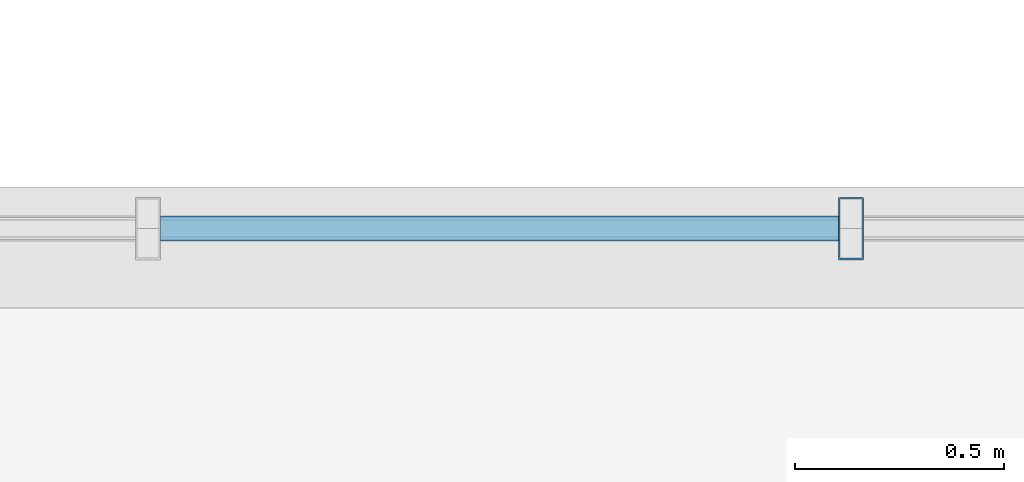
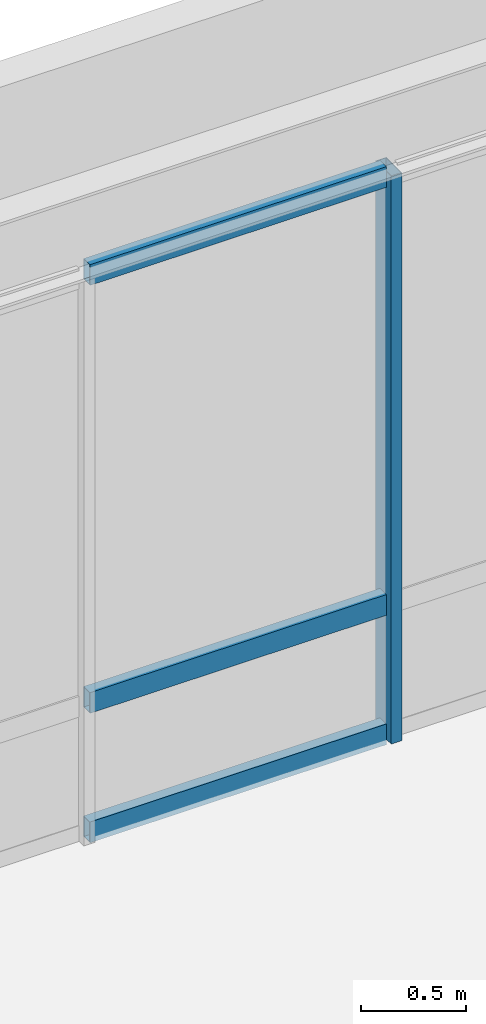
# One storey, part 78 of 122: 4 members, 1 element without a shape of its own.
"""IFC4 building model written with IfcOpenShell, lengths in metres."""

from ifc_helpers import new_model, si_unit, direction, frame, origin, origin_2d, place, context, subcontext, project, spatial, hollow_rectangle, extrude, material, material_profile, profile_set, type_object, element, aggregate, save


model = new_model("IFC4")

# Units and contexts
model_context = context("Model", 3, precision=1e-05, world=origin(), true_north=direction((0.0, 1.0)))
body_context = subcontext(model_context, "Body", "Model", "MODEL_VIEW")
ifc_project = project(units=[si_unit("LENGTHUNIT", "METRE"), si_unit("AREAUNIT", "SQUARE_METRE"), si_unit("VOLUMEUNIT", "CUBIC_METRE"), si_unit("PLANEANGLEUNIT", "RADIAN"), si_unit("MASSUNIT", "GRAM", prefix="KILO")], contexts=[model_context])

# Site, building, storey
site_placement = place(None, origin())
site = spatial("IfcSite", under=ifc_project, at=site_placement, CompositionType="ELEMENT")
building_placement = place(site_placement, origin())
building = spatial("IfcBuilding", under=site, at=building_placement, Name="Kazanami Central Library", CompositionType="ELEMENT")
storey_placement = place(building_placement, frame((0.0, 0.0, 4.800048828125)))
storey = spatial("IfcBuildingStorey", under=building, at=storey_placement, Name="L02", CompositionType="ELEMENT", Elevation=4.800048828125)

# Curtain wall, members
ifc_material_1 = material(Name="Acid-Etched Low-E Laminated Glass", Category="glass")
curtain_wall_type = type_object("IfcCurtainWallType", Name="CW-8425x3290-M180", PredefinedType="USERDEFINED", material=ifc_material_1)
curtain_wall_placement = place(storey_placement, origin())
curtain_wall = element("IfcCurtainWall", 1, at=curtain_wall_placement, inside=storey, type_object=curtain_wall_type, Name="Covered Link Bridge Curtain Wall CW-18 L02 N-M-12", ObjectType="UNITISED CURTAIN WALL", PredefinedType="USERDEFINED")
ifc_material_2 = material(Name="Anodised Aluminium A6063-T5", Category="aluminium")
ifc_material_profile_1 = material_profile(ifc_material_2, hollow_rectangle(XDim=0.06005859375, YDim=0.14990234375, WallThickness=0.00390625, at=origin_2d()), Name="ALU-MULL-60x150x4")
ifc_profile_set_1 = profile_set([ifc_material_profile_1], Name="Anodised Aluminium A6063-T5")
member_type_1 = type_object("IfcMemberType", Name="MEM-CW-M3", PredefinedType="MULLION", material=ifc_profile_set_1)
member_1_placement = place(storey_placement, frame((111.594970703125, 79.199951171875, 0.0), z_axis=(0.0, 0.0, 1.0), x_axis=(-1.0, 0.0, 0.0)))
member_1 = element("IfcMember", 2, at=member_1_placement, type_object=member_type_1, Name="CW-18 mullion 4", PredefinedType="MULLION", context=body_context, shape_type="SweptSolid", body=[
    extrude(hollow_rectangle(XDim=0.06005859375, YDim=0.14990234375, WallThickness=0.00390625, at=origin_2d()), origin(), (0.0, 0.0, 1.0), 3.2900390625),
])
ifc_material_profile_2 = material_profile(ifc_material_2, hollow_rectangle(XDim=0.06005859375, YDim=0.1201171875, WallThickness=0.00341796875, at=origin_2d()), Name="ALU-TRAN-60x120x3.5")
ifc_profile_set_2 = profile_set([ifc_material_profile_2], Name="Anodised Aluminium A6063-T5")
member_type_2 = type_object("IfcMemberType", Name="MEM-CW-T3", PredefinedType="USERDEFINED", material=ifc_profile_set_2)
member_2_placement = place(storey_placement, frame((111.56494140625, 79.199951171875, 0.030029296875), z_axis=(-1.0, 0.0, 0.0), x_axis=(0.0, -1.0, 0.0)))
member_2 = element("IfcMember", 3, at=member_2_placement, type_object=member_type_2, Name="CW-18 transom 4.1", ObjectType="TRANSOM", PredefinedType="USERDEFINED", context=body_context, shape_type="SweptSolid", body=[
    extrude(hollow_rectangle(XDim=0.06005859375, YDim=0.1201171875, WallThickness=0.00341796875, at=origin_2d()), origin(), (0.0, 0.0, 1.0), 1.625),
])
member_3_placement = place(storey_placement, frame((111.56494140625, 79.199951171875, 0.780029296875), z_axis=(-1.0, 0.0, 0.0), x_axis=(0.0, -1.0, 0.0)))
member_3 = element("IfcMember", 4, at=member_3_placement, type_object=member_type_2, Name="CW-18 transom 4.2", ObjectType="TRANSOM", PredefinedType="USERDEFINED", context=body_context, shape_type="SweptSolid", body=[
    extrude(hollow_rectangle(XDim=0.06005859375, YDim=0.1201171875, WallThickness=0.00341796875, at=origin_2d()), origin(), (0.0, 0.0, 1.0), 1.625),
])
member_4_placement = place(storey_placement, frame((111.56494140625, 79.199951171875, 3.260009765625), z_axis=(-1.0, 0.0, 0.0), x_axis=(0.0, -1.0, 0.0)))
member_4 = element("IfcMember", 5, at=member_4_placement, type_object=member_type_2, Name="CW-18 transom 4.3", ObjectType="TRANSOM", PredefinedType="USERDEFINED", context=body_context, shape_type="SweptSolid", body=[
    extrude(hollow_rectangle(XDim=0.06005859375, YDim=0.1201171875, WallThickness=0.00341796875, at=origin_2d()), origin(), (0.0, 0.0, 1.0), 1.625),
])
aggregate(curtain_wall, [member_1, member_2, member_3, member_4])

save(model, "model.ifc")
